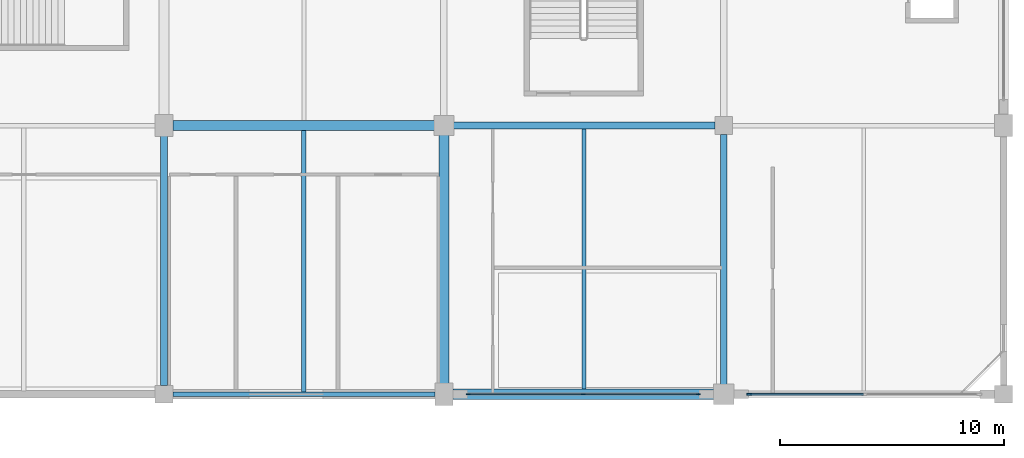
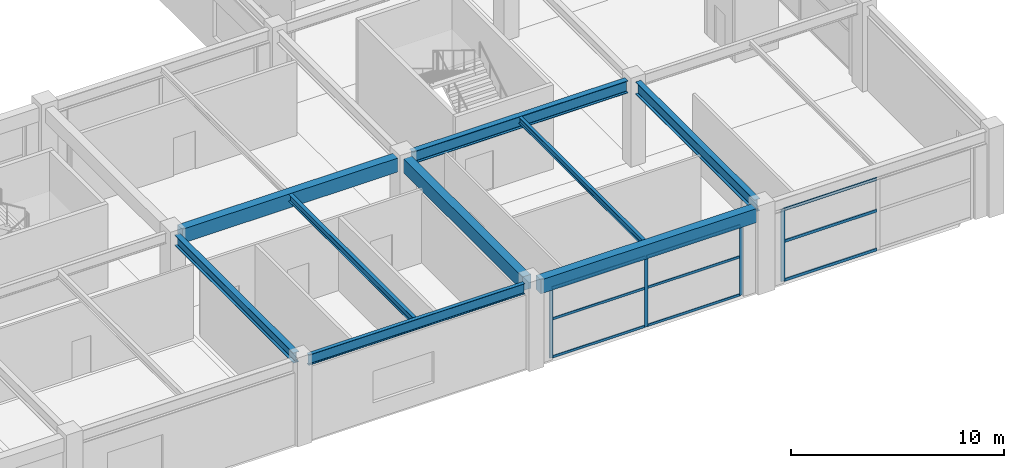
# One storey, part 33 of 116: 13 members, 9 beams, 2 elements without a shape of their own.
"""IFC4 building model written with IfcOpenShell, lengths in metres."""

from ifc_helpers import new_model, si_unit, direction, frame, origin, origin_2d, place, context, subcontext, project, spatial, rectangle, i_section, extrude, material, layer, layer_set, material_profile, profile_set, type_object, element, aggregate, save


model = new_model("IFC4")

# Units and contexts
model_context = context("Model", 3, precision=1e-05, world=origin(), true_north=direction((0.0, 1.0)))
body_context = subcontext(model_context, "Body", "Model", "MODEL_VIEW")
ifc_project = project(units=[si_unit("LENGTHUNIT", "METRE"), si_unit("AREAUNIT", "SQUARE_METRE"), si_unit("VOLUMEUNIT", "CUBIC_METRE"), si_unit("PLANEANGLEUNIT", "RADIAN"), si_unit("MASSUNIT", "GRAM", prefix="KILO")], contexts=[model_context])

# Site, building, storey
site_placement = place(None, origin())
site = spatial("IfcSite", under=ifc_project, at=site_placement, CompositionType="ELEMENT")
building_placement = place(site_placement, origin())
building = spatial("IfcBuilding", under=site, at=building_placement, Name="Kazenohara Klinker Stadium", CompositionType="ELEMENT")
storey_placement = place(building_placement, frame((0.0, 0.0, 10.199951171875)))
storey = spatial("IfcBuildingStorey", under=building, at=storey_placement, Name="L02", CompositionType="ELEMENT", Elevation=10.199951171875)

# Beams
ifc_material_1 = material(Name="Steel S355", Category="steel")
ifc_material_profile_1 = material_profile(ifc_material_1, i_section(OverallWidth=0.199951171875, OverallDepth=0.39990234375, WebThickness=0.008056640625, FlangeThickness=0.012939453125, FilletRadius=0.012939453125, at=origin_2d()), Name="H-400x200x8x13")
ifc_profile_set_1 = profile_set([ifc_material_profile_1], Name="Steel S355")
beam_type_1 = type_object("IfcBeamType", Name="BM-JST03", PredefinedType="JOIST", material=ifc_profile_set_1)
beam_1_placement = place(storey_placement, frame((168.75, 12.10009765625, 4.6201171875), z_axis=(0.0, 1.0, 0.0), x_axis=(-1.0, 0.0, 0.0)))
element("IfcBeam", 1, at=beam_1_placement, inside=storey, type_object=beam_type_1, Name="Secondary floor joist SJ03 L02 14/B", PredefinedType="JOIST", context=body_context, shape_type="SweptSolid", body=[
    extrude(i_section(OverallWidth=0.199951171875, OverallDepth=0.39990234375, WebThickness=0.008056640625, FlangeThickness=0.012939453125, FilletRadius=0.012939453125, at=origin_2d()), origin(), (0.0, 0.0, 1.0), 11.6748046875),
])
ifc_material_profile_2 = material_profile(ifc_material_1, i_section(OverallWidth=0.175048828125, OverallDepth=0.35009765625, WebThickness=0.007080078125, FlangeThickness=0.010986328125, FilletRadius=0.012939453125, at=origin_2d()), Name="H-350x175x7x11")
ifc_profile_set_2 = profile_set([ifc_material_profile_2], Name="Steel S355")
beam_type_2 = type_object("IfcBeamType", Name="BM-JST04", PredefinedType="JOIST", material=ifc_profile_set_2)
beam_2_placement = place(storey_placement, frame((181.25, 12.22509765625, 4.64501953125), z_axis=(0.0, 1.0, 0.0), x_axis=(-1.0, 0.0, 0.0)))
element("IfcBeam", 2, at=beam_2_placement, inside=storey, type_object=beam_type_2, Name="Secondary floor joist SJ04 L02 15/B", PredefinedType="JOIST", context=body_context, shape_type="SweptSolid", body=[
    extrude(i_section(OverallWidth=0.175048828125, OverallDepth=0.35009765625, WebThickness=0.007080078125, FlangeThickness=0.010986328125, FilletRadius=0.012939453125, at=origin_2d()), origin(), (0.0, 0.0, 1.0), 11.625),
])
ifc_material_2 = material(Name="Concrete C40/50", Category="concrete")
ifc_material_profile_3 = material_profile(ifc_material_2, rectangle(XDim=0.449951171875, YDim=0.800048828125, at=origin_2d()), Name="RC-BM-450x800")
ifc_profile_set_3 = profile_set([ifc_material_profile_3], Name="Concrete C40/50")
beam_type_3 = type_object("IfcBeamType", Name="BM-RC03", PredefinedType="BEAM", material=ifc_profile_set_3)
for number, where, z_axis, x_axis, name in (
    (3, (162.89990234375, 24.0, 4.420166015625), (1.0, 0.0, 0.0), (0.0, 1.0, 0.0), "Primary girder BG03 L02 14-15/C"),
    (4, (175.39990234375, 12.0, 4.420166015625), (1.0, 0.0, 0.0), (0.0, 1.0, 0.0), "Primary girder BG03 L02 15-16/B"),
):
    element("IfcBeam", number, at=place(storey_placement, frame(where, z_axis=z_axis, x_axis=x_axis)), inside=storey, type_object=beam_type_3, Name=name, PredefinedType="BEAM", context=body_context, shape_type="SweptSolid", body=[
        extrude(rectangle(XDim=0.449951171875, YDim=0.800048828125, at=origin_2d()), origin(), (0.0, 0.0, 1.0), 11.68017578125),
    ])
beam_3_placement = place(storey_placement, frame((175.0, 12.419921875, 4.420166015625), z_axis=(0.0, 1.0, 0.0), x_axis=(-1.0, 0.0, 0.0)))
element("IfcBeam", 5, at=beam_3_placement, inside=storey, type_object=beam_type_3, Name="Primary girder BG03 L02 15/B-C", PredefinedType="BEAM", context=body_context, shape_type="SweptSolid", body=[
    extrude(rectangle(XDim=0.449951171875, YDim=0.800048828125, at=origin_2d()), origin(), (0.0, 0.0, 1.0), 11.16015625),
])
ifc_material_profile_4 = material_profile(ifc_material_1, i_section(OverallWidth=0.300048828125, OverallDepth=0.699951171875, WebThickness=0.012939453125, FlangeThickness=0.02392578125, FilletRadius=0.02197265625, at=origin_2d()), Name="H-700x300x13x24")
ifc_profile_set_4 = profile_set([ifc_material_profile_4], Name="Steel S355")
beam_type_4 = type_object("IfcBeamType", Name="BM-ST03", PredefinedType="BEAM", material=ifc_profile_set_4)
beam_4_placement = place(storey_placement, frame((175.419921875, 24.0, 4.469970703125), z_axis=(1.0, 0.0, 0.0), x_axis=(0.0, 1.0, 0.0)))
element("IfcBeam", 6, at=beam_4_placement, inside=storey, type_object=beam_type_4, Name="Primary girder SB03 L02 15-16/C", PredefinedType="BEAM", context=body_context, shape_type="SweptSolid", body=[
    extrude(i_section(OverallWidth=0.300048828125, OverallDepth=0.699951171875, WebThickness=0.012939453125, FlangeThickness=0.02392578125, FilletRadius=0.02197265625, at=origin_2d()), origin(), (0.0, 0.0, 1.0), 11.68017578125),
])
beam_5_placement = place(storey_placement, frame((187.5, 12.419921875, 4.469970703125), z_axis=(0.0, 1.0, 0.0), x_axis=(-1.0, 0.0, 0.0)))
element("IfcBeam", 7, at=beam_5_placement, inside=storey, type_object=beam_type_4, Name="Primary girder SB03 L02 16/B-C", PredefinedType="BEAM", context=body_context, shape_type="SweptSolid", body=[
    extrude(i_section(OverallWidth=0.300048828125, OverallDepth=0.699951171875, WebThickness=0.012939453125, FlangeThickness=0.02392578125, FilletRadius=0.02197265625, at=origin_2d()), origin(), (0.0, 0.0, 1.0), 11.18017578125),
])
ifc_material_profile_5 = material_profile(ifc_material_1, i_section(OverallWidth=0.199951171875, OverallDepth=0.60009765625, WebThickness=0.010986328125, FlangeThickness=0.01708984375, FilletRadius=0.012939453125, at=origin_2d()), Name="H-600x200x11x17")
ifc_profile_set_5 = profile_set([ifc_material_profile_5], Name="Steel S355")
beam_type_5 = type_object("IfcBeamType", Name="BM-ST04", PredefinedType="BEAM", material=ifc_profile_set_5)
beam_6_placement = place(storey_placement, frame((162.89990234375, 12.0, 4.52001953125), z_axis=(1.0, 0.0, 0.0), x_axis=(0.0, 1.0, 0.0)))
element("IfcBeam", 8, at=beam_6_placement, inside=storey, type_object=beam_type_5, Name="Primary girder SB04 L02 14-15/B", PredefinedType="BEAM", context=body_context, shape_type="SweptSolid", body=[
    extrude(i_section(OverallWidth=0.199951171875, OverallDepth=0.60009765625, WebThickness=0.010986328125, FlangeThickness=0.01708984375, FilletRadius=0.012939453125, at=origin_2d()), origin(), (0.0, 0.0, 1.0), 11.7001953125),
])
ifc_material_profile_6 = material_profile(ifc_material_1, i_section(OverallWidth=0.300048828125, OverallDepth=0.587890625, WebThickness=0.011962890625, FlangeThickness=0.02001953125, FilletRadius=0.02197265625, at=origin_2d()), Name="H-588x300x12x20")
ifc_profile_set_6 = profile_set([ifc_material_profile_6], Name="Steel S355")
beam_type_6 = type_object("IfcBeamType", Name="BM-ST05", PredefinedType="BEAM", material=ifc_profile_set_6)
beam_7_placement = place(storey_placement, frame((162.5, 12.39990234375, 4.526123046875), z_axis=(0.0, 1.0, 0.0), x_axis=(-1.0, 0.0, 0.0)))
element("IfcBeam", 9, at=beam_7_placement, inside=storey, type_object=beam_type_6, Name="Primary girder SB05 L02 14/B-C", PredefinedType="BEAM", context=body_context, shape_type="SweptSolid", body=[
    extrude(i_section(OverallWidth=0.300048828125, OverallDepth=0.587890625, WebThickness=0.011962890625, FlangeThickness=0.02001953125, FilletRadius=0.02197265625, at=origin_2d()), origin(), (0.0, 0.0, 1.0), 11.18017578125),
])

# Curtain wall, members
ifc_material_3 = material(Name="Anodised aluminium and triple glazing", Category="aluminium")
ifc_layer = layer(ifc_material_3, 0.199951171875)
ifc_layer_set = layer_set([ifc_layer], Name="Anodised aluminium and triple glazing")
curtain_wall_type = type_object("IfcCurtainWallType", Name="CW-SYS-03", PredefinedType="USERDEFINED", material=ifc_layer_set)
curtain_wall_1_placement = place(storey_placement, origin())
curtain_wall_1 = element("IfcCurtainWall", 10, at=curtain_wall_1_placement, inside=storey, type_object=curtain_wall_type, Name="Unitised facade curtain wall CW03 L02 X14-1", ObjectType="UNITISED CURTAIN WALL", PredefinedType="USERDEFINED")
ifc_material_4 = material(Name="Anodised aluminium 6063-T6", Category="aluminium")
ifc_material_profile_7 = material_profile(ifc_material_4, rectangle(XDim=0.06494140625, YDim=0.179931640625, at=origin_2d()), Name="ALU-MUL-65x180")
ifc_profile_set_7 = profile_set([ifc_material_profile_7], Name="Anodised aluminium 6063-T6")
member_type_1 = type_object("IfcMemberType", Name="CW-MUL-180", PredefinedType="MULLION", material=ifc_profile_set_7)
member_1_placement = place(storey_placement, frame((176.08642578125, 12.0, 0.0), z_axis=(0.0, 0.0, 1.0), x_axis=(0.0, 1.0, 0.0)))
member_1 = element("IfcMember", 11, at=member_1_placement, type_object=member_type_1, Name="CW03 mullion 1", PredefinedType="MULLION", context=body_context, shape_type="SweptSolid", body=[
    extrude(rectangle(XDim=0.06494140625, YDim=0.179931640625, at=origin_2d()), origin(), (0.0, 0.0, 1.0), 4.02001953125),
])
member_2_placement = place(storey_placement, frame((181.22509765625, 12.0, 0.0), z_axis=(0.0, 0.0, 1.0), x_axis=(0.0, 1.0, 0.0)))
member_2 = element("IfcMember", 12, at=member_2_placement, type_object=member_type_1, Name="CW03 mullion 2", PredefinedType="MULLION", context=body_context, shape_type="SweptSolid", body=[
    extrude(rectangle(XDim=0.06494140625, YDim=0.179931640625, at=origin_2d()), origin(), (0.0, 0.0, 1.0), 4.02001953125),
])
member_3_placement = place(storey_placement, frame((186.363525390625, 12.0, 0.0), z_axis=(0.0, 0.0, 1.0), x_axis=(0.0, 1.0, 0.0)))
member_3 = element("IfcMember", 13, at=member_3_placement, type_object=member_type_1, Name="CW03 mullion 3", PredefinedType="MULLION", context=body_context, shape_type="SweptSolid", body=[
    extrude(rectangle(XDim=0.06494140625, YDim=0.179931640625, at=origin_2d()), origin(), (0.0, 0.0, 1.0), 4.02001953125),
])

# Curtain wall, member
curtain_wall_2_placement = place(storey_placement, origin())
curtain_wall_2 = element("IfcCurtainWall", 14, at=curtain_wall_2_placement, inside=storey, type_object=curtain_wall_type, Name="Unitised facade curtain wall CW03 L02 X15-1", ObjectType="UNITISED CURTAIN WALL", PredefinedType="USERDEFINED")
ifc_material_profile_8 = material_profile(ifc_material_4, rectangle(XDim=0.074951171875, YDim=0.219970703125, at=origin_2d()), Name="ALU-MUL-75x220")
ifc_profile_set_8 = profile_set([ifc_material_profile_8], Name="Anodised aluminium 6063-T6")
member_type_2 = type_object("IfcMemberType", Name="CW-MUL-220", PredefinedType="MULLION", material=ifc_profile_set_8)
member_4_placement = place(storey_placement, frame((188.6416015625, 12.0, 0.0), z_axis=(0.0, 0.0, 1.0), x_axis=(0.0, 1.0, 0.0)))
member_4 = element("IfcMember", 15, at=member_4_placement, type_object=member_type_2, Name="CW03 mullion 1", PredefinedType="MULLION", context=body_context, shape_type="SweptSolid", body=[
    extrude(rectangle(XDim=0.074951171875, YDim=0.219970703125, at=origin_2d()), origin(), (0.0, 0.0, 1.0), 4.1201171875),
])

# Member
ifc_material_profile_9 = material_profile(ifc_material_4, rectangle(XDim=0.06494140625, YDim=0.139892578125, at=origin_2d()), Name="ALU-TRN-65x140")
ifc_profile_set_9 = profile_set([ifc_material_profile_9], Name="Anodised aluminium 6063-T6")
member_type_3 = type_object("IfcMemberType", Name="CW-TRN-140", PredefinedType="USERDEFINED", material=ifc_profile_set_9)
member_5_placement = place(storey_placement, frame((176.118896484375, 12.0, 0.032470703125), z_axis=(1.0, 0.0, 0.0), x_axis=(0.0, 1.0, 0.0)))
member_5 = element("IfcMember", 16, at=member_5_placement, type_object=member_type_3, Name="CW03 transom 1.1", ObjectType="TRANSOM", PredefinedType="USERDEFINED", context=body_context, shape_type="SweptSolid", body=[
    extrude(rectangle(XDim=0.06494140625, YDim=0.139892578125, at=origin_2d()), origin(), (0.0, 0.0, 1.0), 5.073486328125),
])

member_6_placement = place(storey_placement, frame((176.118896484375, 12.0, 2.2109375), z_axis=(1.0, 0.0, 0.0), x_axis=(0.0, 1.0, 0.0)))
member_6 = element("IfcMember", 17, at=member_6_placement, type_object=member_type_3, Name="CW03 transom 1.2", ObjectType="TRANSOM", PredefinedType="USERDEFINED", context=body_context, shape_type="SweptSolid", body=[
    extrude(rectangle(XDim=0.06494140625, YDim=0.139892578125, at=origin_2d()), origin(), (0.0, 0.0, 1.0), 5.073486328125),
])

member_7_placement = place(storey_placement, frame((176.118896484375, 12.0, 3.987548828125), z_axis=(1.0, 0.0, 0.0), x_axis=(0.0, 1.0, 0.0)))
member_7 = element("IfcMember", 18, at=member_7_placement, type_object=member_type_3, Name="CW03 transom 1.3", ObjectType="TRANSOM", PredefinedType="USERDEFINED", context=body_context, shape_type="SweptSolid", body=[
    extrude(rectangle(XDim=0.06494140625, YDim=0.139892578125, at=origin_2d()), origin(), (0.0, 0.0, 1.0), 5.073486328125),
])

member_8_placement = place(storey_placement, frame((181.257568359375, 12.0, 0.032470703125), z_axis=(1.0, 0.0, 0.0), x_axis=(0.0, 1.0, 0.0)))
member_8 = element("IfcMember", 19, at=member_8_placement, type_object=member_type_3, Name="CW03 transom 2.1", ObjectType="TRANSOM", PredefinedType="USERDEFINED", context=body_context, shape_type="SweptSolid", body=[
    extrude(rectangle(XDim=0.06494140625, YDim=0.139892578125, at=origin_2d()), origin(), (0.0, 0.0, 1.0), 5.073486328125),
])

member_9_placement = place(storey_placement, frame((181.257568359375, 12.0, 2.2109375), z_axis=(1.0, 0.0, 0.0), x_axis=(0.0, 1.0, 0.0)))
member_9 = element("IfcMember", 20, at=member_9_placement, type_object=member_type_3, Name="CW03 transom 2.2", ObjectType="TRANSOM", PredefinedType="USERDEFINED", context=body_context, shape_type="SweptSolid", body=[
    extrude(rectangle(XDim=0.06494140625, YDim=0.139892578125, at=origin_2d()), origin(), (0.0, 0.0, 1.0), 5.073486328125),
])

member_10_placement = place(storey_placement, frame((181.257568359375, 12.0, 3.987548828125), z_axis=(1.0, 0.0, 0.0), x_axis=(0.0, 1.0, 0.0)))
member_10 = element("IfcMember", 21, at=member_10_placement, type_object=member_type_3, Name="CW03 transom 2.3", ObjectType="TRANSOM", PredefinedType="USERDEFINED", context=body_context, shape_type="SweptSolid", body=[
    extrude(rectangle(XDim=0.06494140625, YDim=0.139892578125, at=origin_2d()), origin(), (0.0, 0.0, 1.0), 5.073486328125),
])

aggregate(curtain_wall_1, [member_1, member_2, member_3, member_5, member_6, member_7, member_8, member_9, member_10])

ifc_material_profile_10 = material_profile(ifc_material_4, rectangle(XDim=0.074951171875, YDim=0.159912109375, at=origin_2d()), Name="ALU-TRN-75x160")
ifc_profile_set_10 = profile_set([ifc_material_profile_10], Name="Anodised aluminium 6063-T6")
member_type_4 = type_object("IfcMemberType", Name="CW-TRN-160", PredefinedType="USERDEFINED", material=ifc_profile_set_10)
member_11_placement = place(storey_placement, frame((188.678955078125, 12.0, 0.03759765625), z_axis=(1.0, 0.0, 0.0), x_axis=(0.0, 1.0, 0.0)))
member_11 = element("IfcMember", 22, at=member_11_placement, type_object=member_type_4, Name="CW03 transom 1.1", ObjectType="TRANSOM", PredefinedType="USERDEFINED", context=body_context, shape_type="SweptSolid", body=[
    extrude(rectangle(XDim=0.074951171875, YDim=0.159912109375, at=origin_2d()), origin(), (0.0, 0.0, 1.0), 5.05859375),
])

member_12_placement = place(storey_placement, frame((188.678955078125, 12.0, 2.26611328125), z_axis=(1.0, 0.0, 0.0), x_axis=(0.0, 1.0, 0.0)))
member_12 = element("IfcMember", 23, at=member_12_placement, type_object=member_type_4, Name="CW03 transom 1.2", ObjectType="TRANSOM", PredefinedType="USERDEFINED", context=body_context, shape_type="SweptSolid", body=[
    extrude(rectangle(XDim=0.074951171875, YDim=0.159912109375, at=origin_2d()), origin(), (0.0, 0.0, 1.0), 5.05859375),
])

member_13_placement = place(storey_placement, frame((188.678955078125, 12.0, 4.08251953125), z_axis=(1.0, 0.0, 0.0), x_axis=(0.0, 1.0, 0.0)))
member_13 = element("IfcMember", 24, at=member_13_placement, type_object=member_type_4, Name="CW03 transom 1.3", ObjectType="TRANSOM", PredefinedType="USERDEFINED", context=body_context, shape_type="SweptSolid", body=[
    extrude(rectangle(XDim=0.074951171875, YDim=0.159912109375, at=origin_2d()), origin(), (0.0, 0.0, 1.0), 5.05859375),
])

aggregate(curtain_wall_2, [member_4, member_11, member_12, member_13])

save(model, "model.ifc")
